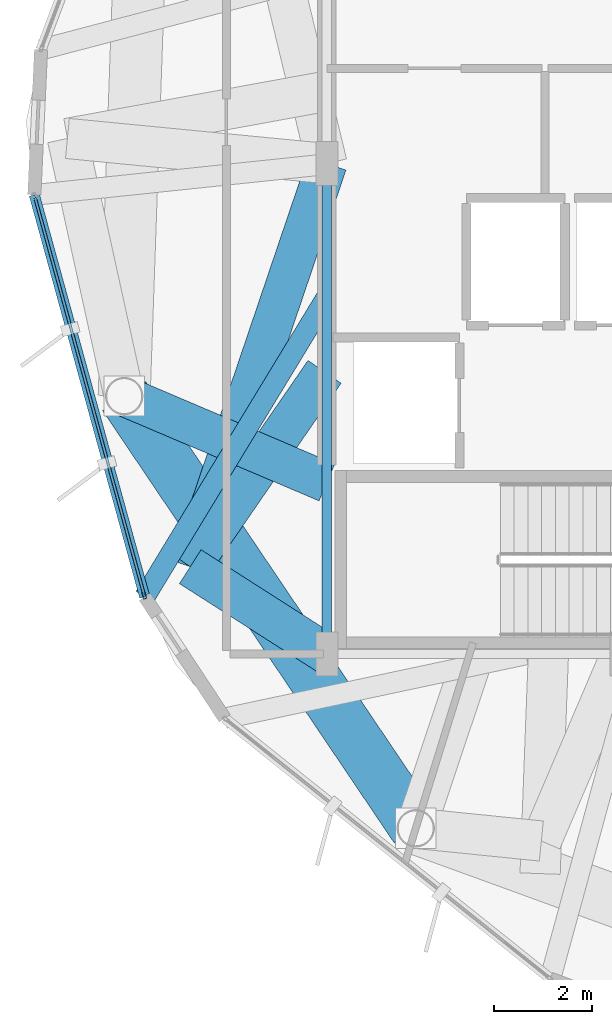
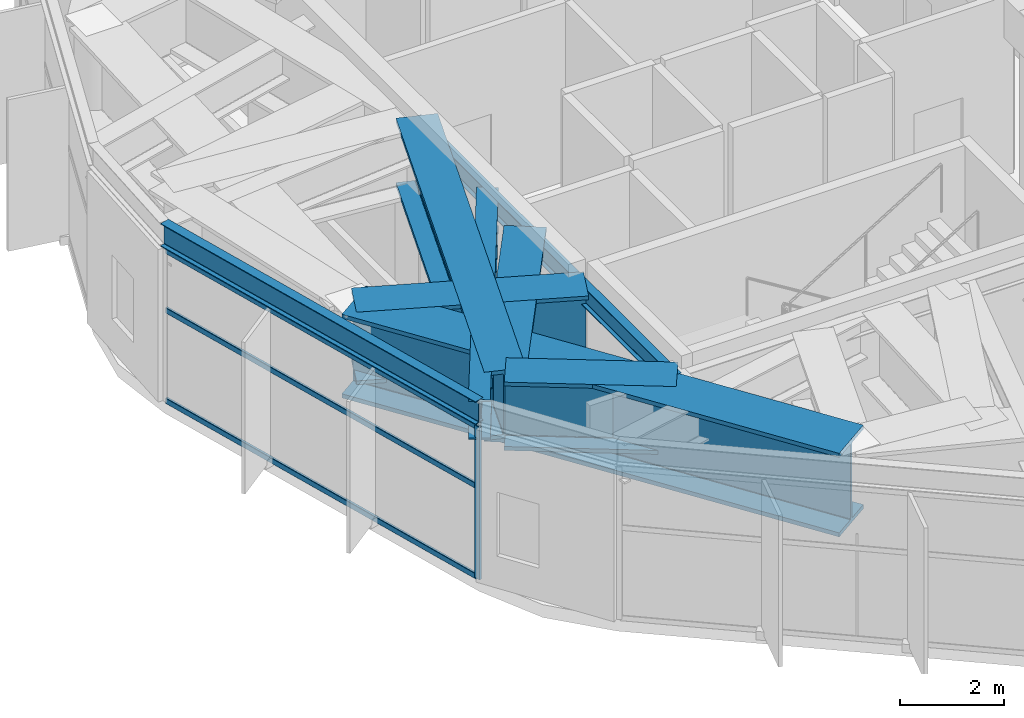
# One storey, part 4 of 27: 8 beams, 4 members, 1 element without a shape of its own.
"""IFC4 building model written with IfcOpenShell, lengths in metres."""

from ifc_helpers import new_model, si_unit, direction, frame, origin, origin_2d, place, context, subcontext, project, spatial, hollow_rectangle, i_section, extrude, material, layer, layer_set, material_profile, profile_set, type_object, element, aggregate, save


model = new_model("IFC4")

# Units and contexts
model_context = context("Model", 3, precision=1e-05, world=origin(), true_north=direction((0.0, 1.0)))
body_context = subcontext(model_context, "Body", "Model", "MODEL_VIEW")
ifc_project = project(units=[si_unit("LENGTHUNIT", "METRE"), si_unit("AREAUNIT", "SQUARE_METRE"), si_unit("VOLUMEUNIT", "CUBIC_METRE"), si_unit("PLANEANGLEUNIT", "RADIAN"), si_unit("MASSUNIT", "GRAM", prefix="KILO")], contexts=[model_context])

# Site, building, storey
site_placement = place(None, origin())
site = spatial("IfcSite", under=ifc_project, at=site_placement, CompositionType="ELEMENT")
building_placement = place(site_placement, origin())
building = spatial("IfcBuilding", under=site, at=building_placement, Name="Soratama Intermodal Tower", CompositionType="ELEMENT")
storey_placement = place(building_placement, frame((0.0, 0.0, 288.550048828125)))
storey = spatial("IfcBuildingStorey", under=building, at=storey_placement, Name="L73", CompositionType="ELEMENT", Elevation=288.550048828125)

# Beams
ifc_material_1 = material(Name="Structural steel ASTM A992 Grade 50", Category="steel")
ifc_material_profile_1 = material_profile(ifc_material_1, i_section(OverallWidth=0.19091796875, OverallDepth=0.4599609375, WebThickness=0.010009765625, FlangeThickness=0.01611328125, FilletRadius=0.010986328125, at=origin_2d()), Name="W18X55")
ifc_profile_set_1 = profile_set([ifc_material_profile_1], Name="Structural steel ASTM A992 Grade 50")
beam_type_1 = type_object("IfcBeamType", Name="BM-FLR-W18X55", PredefinedType="BEAM", material=ifc_profile_set_1)
beam_1_placement = place(storey_placement, frame((32.60009765625, 25.0, 3.96484375), z_axis=(0.0, -1.0, 0.0), x_axis=(1.0, 0.0, 0.0)))
element("IfcBeam", 1, at=beam_1_placement, inside=storey, type_object=beam_type_1, Name="BM-L73-CRING-09", PredefinedType="BEAM", context=body_context, shape_type="SweptSolid", body=[
    extrude(i_section(OverallWidth=0.19091796875, OverallDepth=0.4599609375, WebThickness=0.010009765625, FlangeThickness=0.01611328125, FilletRadius=0.010986328125, at=origin_2d()), origin(), (0.0, 0.0, 1.0), 10.0),
])
ifc_material_2 = material(Name="Structural steel ASTM A992 Grade 50", Category="steel")
ifc_material_profile_2 = material_profile(ifc_material_2, i_section(OverallWidth=0.423095703125, OverallDepth=0.93896484375, WebThickness=0.02392578125, FlangeThickness=0.042724609375, FilletRadius=0.02392578125, at=origin_2d()), Name="W36X302")
ifc_profile_set_2 = profile_set([ifc_material_profile_2], Name="Structural steel ASTM A992 Grade 50")
beam_type_2 = type_object("IfcBeamType", Name="BM-POD-W36X302", PredefinedType="BEAM", material=ifc_profile_set_2)
beam_2_placement = place(storey_placement, frame((32.5791015625, 22.25, 3.725341796875), z_axis=(-0.519103430613, -0.854711429856, 0.0), x_axis=(0.854711429856, -0.519103430613, 0.0)))
element("IfcBeam", 2, at=beam_2_placement, inside=storey, type_object=beam_type_2, Name="BM-L73-TIE1-04", PredefinedType="BEAM", context=body_context, shape_type="SweptSolid", body=[
    extrude(i_section(OverallWidth=0.423095703125, OverallDepth=0.93896484375, WebThickness=0.02392578125, FlangeThickness=0.042724609375, FilletRadius=0.02392578125, at=origin_2d()), origin(), (0.0, 0.0, 1.0), 7.1181640625),
])
ifc_material_3 = material(Name="Structural steel ASTM A992 Grade 50", Category="steel")
ifc_material_profile_3 = material_profile(ifc_material_3, i_section(OverallWidth=0.2099609375, OverallDepth=0.537109375, WebThickness=0.010986328125, FlangeThickness=0.017333984375, FilletRadius=0.012939453125, at=origin_2d()), Name="W21X68")
ifc_profile_set_3 = profile_set([ifc_material_profile_3], Name="Structural steel ASTM A992 Grade 50")
beam_type_3 = type_object("IfcBeamType", Name="BM-SPN-W21X68", PredefinedType="SPANDREL", material=ifc_profile_set_3)
beam_3_placement = place(storey_placement, frame((26.633056640625, 24.362060546875, 3.926513671875), z_axis=(0.264835346933, -0.964293647711, 0.0), x_axis=(0.964293647711, 0.264835346933, 0.0)))
element("IfcBeam", 3, at=beam_3_placement, inside=storey, type_object=beam_type_3, Name="BS-L73-F04", PredefinedType="SPANDREL", context=body_context, shape_type="SweptSolid", body=[
    extrude(i_section(OverallWidth=0.2099609375, OverallDepth=0.537109375, WebThickness=0.010986328125, FlangeThickness=0.017333984375, FilletRadius=0.012939453125, at=origin_2d()), origin(), (0.0, 0.0, 1.0), 8.49951171875),
])
ifc_material_4 = material(Name="Structural steel ASTM A992 Grade 50", Category="steel")
ifc_material_profile_4 = material_profile(ifc_material_4, i_section(OverallWidth=0.820068359375, OverallDepth=1.699951171875, WebThickness=0.053955078125, FlangeThickness=0.087890625, FilletRadius=0.02392578125, at=origin_2d()), Name="PG1580X800")
ifc_profile_set_4 = profile_set([ifc_material_profile_4], Name="Structural steel ASTM A992 Grade 50")
beam_type_4 = type_object("IfcBeamType", Name="BM-ZSTEP-PG1580", PredefinedType="BEAM", material=ifc_profile_set_4)
beam_4_placement = place(storey_placement, frame((32.552001953125, 20.75390625, 3.344970703125), z_axis=(-0.567509522624, -0.823366833028, 0.0), x_axis=(0.823366833028, -0.567509522624, 0.0)))
element("IfcBeam", 4, at=beam_4_placement, inside=storey, type_object=beam_type_4, Name="BM-L73-ZCHORD-06", PredefinedType="BEAM", context=body_context, shape_type="SweptSolid", body=[
    extrude(i_section(OverallWidth=0.820068359375, OverallDepth=1.699951171875, WebThickness=0.053955078125, FlangeThickness=0.087890625, FilletRadius=0.02392578125, at=origin_2d()), origin(), (0.0, 0.0, 1.0), 4.826416015625),
])
beam_5_placement = place(storey_placement, frame((32.60009765625, 18.5, 3.344970703125), z_axis=(-0.920165049547, 0.391530690485, 0.0), x_axis=(-0.391530690485, -0.920165049547, 0.0)))
element("IfcBeam", 5, at=beam_5_placement, inside=storey, type_object=beam_type_4, Name="BM-L73-RAD-06", PredefinedType="BEAM", context=body_context, shape_type="SweptSolid", body=[
    extrude(i_section(OverallWidth=0.820068359375, OverallDepth=1.699951171875, WebThickness=0.053955078125, FlangeThickness=0.087890625, FilletRadius=0.02392578125, at=origin_2d()), origin(), (0.0, 0.0, 1.0), 4.49267578125),
])
ifc_material_5 = material(Name="Structural steel ASTM A992 Grade 50", Category="steel")
ifc_material_profile_5 = material_profile(ifc_material_5, i_section(OverallWidth=0.820068359375, OverallDepth=1.60205078125, WebThickness=0.055908203125, FlangeThickness=0.092041015625, FilletRadius=0.02392578125, at=origin_2d()), Name="PG1600X650")
ifc_profile_set_5 = profile_set([ifc_material_profile_5], Name="Structural steel ASTM A992 Grade 50")
beam_type_5 = type_object("IfcBeamType", Name="BM-ZSTEP-PG1600", PredefinedType="BEAM", material=ifc_profile_set_5)
beam_6_placement = place(storey_placement, frame((32.60009765625, 15.0, 3.39404296875), z_axis=(-0.842781845268, 0.538255293785, 0.0), x_axis=(-0.538255293785, -0.842781845268, 0.0)))
element("IfcBeam", 6, at=beam_6_placement, inside=storey, type_object=beam_type_5, Name="BM-L73-ZSTEP-A06", PredefinedType="BEAM", context=body_context, shape_type="SweptSolid", body=[
    extrude(i_section(OverallWidth=0.820068359375, OverallDepth=1.60205078125, WebThickness=0.055908203125, FlangeThickness=0.092041015625, FilletRadius=0.02392578125, at=origin_2d()), origin(), (0.0, 0.0, 1.0), 3.30712890625),
])
beam_7_placement = place(storey_placement, frame((29.81298828125, 16.780029296875, 3.39404296875), z_axis=(0.321109408251, 0.947042104625, 0.0), x_axis=(-0.947042104625, 0.321109408251, 0.0)))
element("IfcBeam", 7, at=beam_7_placement, inside=storey, type_object=beam_type_5, Name="BM-L73-ZSTEP-B06", PredefinedType="BEAM", context=body_context, shape_type="SweptSolid", body=[
    extrude(i_section(OverallWidth=0.820068359375, OverallDepth=1.60205078125, WebThickness=0.055908203125, FlangeThickness=0.092041015625, FilletRadius=0.02392578125, at=origin_2d()), origin(), (0.0, 0.0, 1.0), 8.6796875),
])
ifc_material_6 = material(Name="Structural steel ASTM A992 Grade 50", Category="steel")
ifc_material_profile_6 = material_profile(ifc_material_6, i_section(OverallWidth=1.06005859375, OverallDepth=1.9599609375, WebThickness=0.05810546875, FlangeThickness=0.095947265625, FilletRadius=0.02392578125, at=origin_2d()), Name="PG2400X900")
ifc_profile_set_6 = profile_set([ifc_material_profile_6], Name="Structural steel ASTM A992 Grade 50")
beam_type_6 = type_object("IfcBeamType", Name="BM-ZSTEP-PG2400", PredefinedType="BEAM", material=ifc_profile_set_6)
beam_8_placement = place(storey_placement, frame((28.466064453125, 20.259033203125, 3.21484375), z_axis=(0.559218025165, -0.829020627204, 0.0), x_axis=(0.829020627204, 0.559218025165, 0.0)))
element("IfcBeam", 8, at=beam_8_placement, inside=storey, type_object=beam_type_6, Name="BM-L73-RING-06", PredefinedType="BEAM", context=body_context, shape_type="SweptSolid", body=[
    extrude(i_section(OverallWidth=1.06005859375, OverallDepth=1.9599609375, WebThickness=0.05810546875, FlangeThickness=0.095947265625, FilletRadius=0.02392578125, at=origin_2d()), origin(), (0.0, 0.0, 1.0), 10.630615234375),
])

# Curtain wall, members
ifc_material_7 = material(Name="Double-glazed aluminium curtain wall", Category="aluminium")
ifc_layer = layer(ifc_material_7, 0.159912109375)
ifc_layer_set = layer_set([ifc_layer], Name="Double-glazed aluminium curtain wall")
curtain_wall_type = type_object("IfcCurtainWallType", Name="CW-SYS-6", PredefinedType="NOTDEFINED", material=ifc_layer_set)
curtain_wall_placement = place(storey_placement, origin())
curtain_wall = element("IfcCurtainWall", 9, at=curtain_wall_placement, inside=storey, type_object=curtain_wall_type, Name="L73 Faceted Curtain Wall F04", PredefinedType="NOTDEFINED")
ifc_material_8 = material(Name="Anodised aluminium AA 6063-T6", Category="aluminium")
ifc_material_profile_7 = material_profile(ifc_material_8, hollow_rectangle(XDim=0.06494140625, YDim=0.139892578125, WallThickness=0.0048828125, InnerFilletRadius=0.0048828125, OuterFilletRadius=0.010009765625, at=origin_2d()), Name="CWM140X65X5")
ifc_profile_set_7 = profile_set([ifc_material_profile_7], Name="Anodised aluminium AA 6063-T6")
member_type_1 = type_object("IfcMemberType", Name="MT-CWM-6", PredefinedType="MULLION", material=ifc_profile_set_7)
member_1_placement = place(storey_placement, frame((28.87646484375, 16.19482421875, 0.0), z_axis=(0.0, 0.0, 1.0), x_axis=(0.964282204153, 0.264877010617, 0.0)))
member_1 = element("IfcMember", 10, at=member_1_placement, type_object=member_type_1, Name="CW-6 mullion 2", PredefinedType="MULLION", context=body_context, shape_type="SweptSolid", body=[
    extrude(hollow_rectangle(XDim=0.06494140625, YDim=0.139892578125, WallThickness=0.0048828125, InnerFilletRadius=0.0048828125, OuterFilletRadius=0.010009765625, at=origin_2d()), origin(), (0.0, 0.0, 1.0), 3.573974609375),
])
ifc_material_9 = material(Name="Anodised aluminium AA 6063-T6", Category="aluminium")
ifc_material_profile_8 = material_profile(ifc_material_9, hollow_rectangle(XDim=0.06005859375, YDim=0.1298828125, WallThickness=0.0048828125, InnerFilletRadius=0.0048828125, OuterFilletRadius=0.010009765625, at=origin_2d()), Name="CWT130X60X5")
ifc_profile_set_8 = profile_set([ifc_material_profile_8], Name="Anodised aluminium AA 6063-T6")
member_type_2 = type_object("IfcMemberType", Name="TT-CWT-2", PredefinedType="USERDEFINED", material=ifc_profile_set_8)
member_2_placement = place(storey_placement, frame((26.64892578125, 24.30419921875, 0.030029296875), z_axis=(0.264886969814, -0.964279468423, 0.0), x_axis=(0.964279468423, 0.264886969814, 0.0)))
member_2 = element("IfcMember", 11, at=member_2_placement, type_object=member_type_2, Name="CW-6 transom 1.1", ObjectType="TRANSOM", PredefinedType="USERDEFINED", context=body_context, shape_type="SweptSolid", body=[
    extrude(hollow_rectangle(XDim=0.06005859375, YDim=0.1298828125, WallThickness=0.0048828125, InnerFilletRadius=0.0048828125, OuterFilletRadius=0.010009765625, at=origin_2d()), origin(), (0.0, 0.0, 1.0), 8.3798828125),
])
member_3_placement = place(storey_placement, frame((26.64892578125, 24.30419921875, 2.14990234375), z_axis=(0.264886969814, -0.964279468423, 0.0), x_axis=(0.964279468423, 0.264886969814, 0.0)))
member_3 = element("IfcMember", 12, at=member_3_placement, type_object=member_type_2, Name="CW-6 transom 1.2", ObjectType="TRANSOM", PredefinedType="USERDEFINED", context=body_context, shape_type="SweptSolid", body=[
    extrude(hollow_rectangle(XDim=0.06005859375, YDim=0.1298828125, WallThickness=0.0048828125, InnerFilletRadius=0.0048828125, OuterFilletRadius=0.010009765625, at=origin_2d()), origin(), (0.0, 0.0, 1.0), 8.3798828125),
])
member_4_placement = place(storey_placement, frame((26.64892578125, 24.30419921875, 3.5439453125), z_axis=(0.264886969814, -0.964279468423, 0.0), x_axis=(0.964279468423, 0.264886969814, 0.0)))
member_4 = element("IfcMember", 13, at=member_4_placement, type_object=member_type_2, Name="CW-6 transom 1.3", ObjectType="TRANSOM", PredefinedType="USERDEFINED", context=body_context, shape_type="SweptSolid", body=[
    extrude(hollow_rectangle(XDim=0.06005859375, YDim=0.1298828125, WallThickness=0.0048828125, InnerFilletRadius=0.0048828125, OuterFilletRadius=0.010009765625, at=origin_2d()), origin(), (0.0, 0.0, 1.0), 8.3798828125),
])
aggregate(curtain_wall, [member_1, member_2, member_3, member_4])

save(model, "model.ifc")
